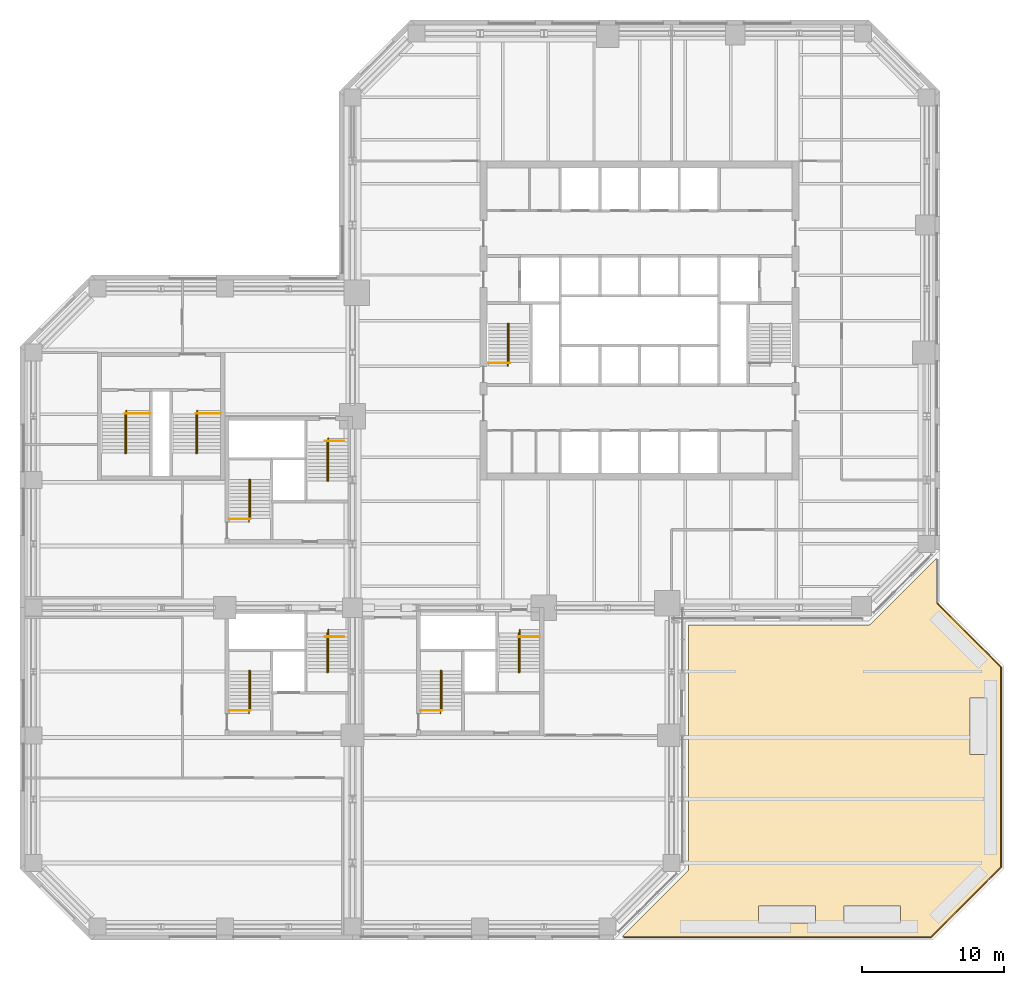
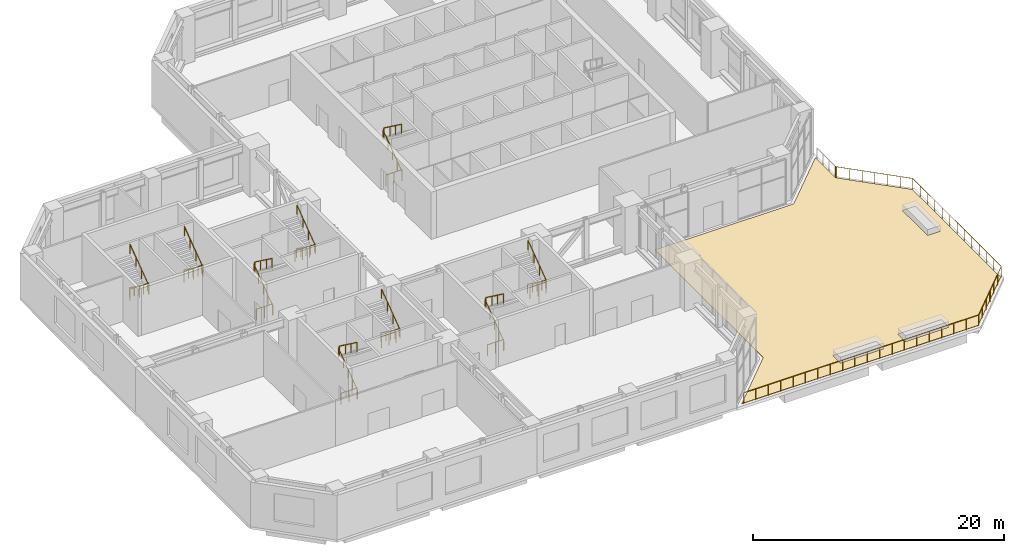
# One storey, part 20 of 21: 19 railings, 1 covering.
"""IFC4 building model written with IfcOpenShell, lengths in metres."""

from ifc_helpers import new_model, si_unit, direction, frame, origin, origin_2d, place, context, subcontext, project, spatial, polyline, circle, outline, extrude, material, layer, layer_set, type_object, element, save


model = new_model("IFC4")

# Units and contexts
model_context = context("Model", 3, precision=1e-05, world=origin(), true_north=direction((0.0, 1.0)))
body_context = subcontext(model_context, "Body", "Model", "MODEL_VIEW")
ifc_project = project(units=[si_unit("LENGTHUNIT", "METRE"), si_unit("AREAUNIT", "SQUARE_METRE"), si_unit("VOLUMEUNIT", "CUBIC_METRE"), si_unit("PLANEANGLEUNIT", "RADIAN"), si_unit("MASSUNIT", "GRAM", prefix="KILO")], contexts=[model_context])

# Site, building, storey
site_placement = place(None, origin())
site = spatial("IfcSite", under=ifc_project, at=site_placement, CompositionType="ELEMENT")
building_placement = place(site_placement, origin())
building = spatial("IfcBuilding", under=site, at=building_placement, Name="Quoin Convention Tower", CompositionType="ELEMENT")
storey_placement = place(building_placement, frame((0.0, 0.0, 18.5)))
storey = spatial("IfcBuildingStorey", under=building, at=storey_placement, Name="L03", CompositionType="ELEMENT", Elevation=18.5)

# Railings
ifc_material_1 = material(Name="Stainless steel", Category="steel")
railing_type_1 = type_object("IfcRailingType", Name="Guard 1100", PredefinedType="GUARDRAIL", material=ifc_material_1)
railing_1_placement = place(storey_placement, frame((77.25, 40.8935546875, 0.0)))
element("IfcRailing", 1, at=railing_1_placement, inside=storey, type_object=railing_type_1, Name="grd-L03-00-77250_40894", PredefinedType="GUARDRAIL", context=body_context, shape_type="SweptSolid", body=[
    extrude(circle(Radius=0.02392578125, at=origin_2d()), frame((0.0, 0.0, 1.076171875), z_axis=(0.049322612311, -0.99878289929, 0.0), x_axis=(0.99878289929, 0.049322612311, 0.0)), (0.0, 0.0, 1.0), 0.019775390625),
    extrude(circle(Radius=0.02392578125, at=origin_2d()), frame((0.0009765625, -0.019775390625, 1.076171875), z_axis=(0.150176090845, -0.988659264731, 0.0), x_axis=(0.988659264731, 0.150176090845, 0.0)), (0.0, 0.0, 1.0), 0.01953125),
    extrude(circle(Radius=0.02392578125, at=origin_2d()), frame((0.00390625, -0.0390625, 1.076171875), z_axis=(0.236669416535, -0.971590236302, 0.0), x_axis=(0.971590236302, 0.236669416535, 0.0)), (0.0, 0.0, 1.0), 0.01953125),
    extrude(circle(Radius=0.02392578125, at=origin_2d()), frame((0.008544921875, -0.05810546875, 1.076171875), z_axis=(0.334765052353, -0.942301628845, 0.0), x_axis=(0.942301628845, 0.334765052353, 0.0)), (0.0, 0.0, 1.0), 0.019775390625),
    extrude(circle(Radius=0.02392578125, at=origin_2d()), frame((0.01513671875, -0.07666015625, 1.076171875), z_axis=(0.437192706873, -0.899367854138, 0.0), x_axis=(0.899367854138, 0.437192706873, 0.0)), (0.0, 0.0, 1.0), 0.01953125),
    extrude(circle(Radius=0.02392578125, at=origin_2d()), frame((0.023681640625, -0.09423828125, 1.076171875), z_axis=(0.510826591194, -0.859683775425, 0.0), x_axis=(0.859683775425, 0.510826591194, 0.0)), (0.0, 0.0, 1.0), 0.01953125),
    extrude(circle(Radius=0.02392578125, at=origin_2d()), frame((0.03369140625, -0.111083984375, 1.076171875), z_axis=(0.594043027909, -0.80443326696, 0.0), x_axis=(0.80443326696, 0.594043027909, 0.0)), (0.0, 0.0, 1.0), 0.019775390625),
    extrude(circle(Radius=0.02392578125, at=origin_2d()), frame((0.04541015625, -0.126953125, 1.076171875), z_axis=(0.675158258765, -0.737672912354, 0.0), x_axis=(0.737672912354, 0.675158258765, 0.0)), (0.0, 0.0, 1.0), 0.01953125),
    extrude(circle(Radius=0.02392578125, at=origin_2d()), frame((0.05859375, -0.141357421875, 1.076171875), z_axis=(0.707106781187, -0.707106781187, 0.0), x_axis=(0.707106781187, 0.707106781187, 0.0)), (0.0, 0.0, 1.0), 6.281005859375),
    extrude(circle(Radius=0.02392578125, at=origin_2d()), frame((4.5, -4.582763671875, 1.076171875), z_axis=(0.0, -1.0, 0.0), x_axis=(1.0, 0.0, 0.0)), (0.0, 0.0, 1.0), 14.12158203125),
    extrude(circle(Radius=0.02392578125, at=origin_2d()), frame((4.5, -18.704345703125, 1.076171875), z_axis=(-0.707106781187, -0.707106781187, 0.0), x_axis=(0.707106781187, -0.707106781187, 0.0)), (0.0, 0.0, 1.0), 6.985107421875),
    extrude(circle(Radius=0.02392578125, at=origin_2d()), frame((-0.439208984375, -23.6435546875, 1.076171875), z_axis=(-1.0, 0.0, 0.0), x_axis=(0.0, -1.0, 0.0)), (0.0, 0.0, 1.0), 21.651611328125),
    extrude(circle(Radius=0.02099609375, at=origin_2d()), origin(), (0.0, 0.0, 1.0), 1.052001953125),
    extrude(circle(Radius=0.02099609375, at=origin_2d()), frame((0.0009765625, -0.019775390625, 0.0)), (0.0, 0.0, 1.0), 1.052001953125),
    extrude(circle(Radius=0.02099609375, at=origin_2d()), frame((0.00390625, -0.0390625, 0.0)), (0.0, 0.0, 1.0), 1.052001953125),
    extrude(circle(Radius=0.02099609375, at=origin_2d()), frame((0.008544921875, -0.05810546875, 0.0)), (0.0, 0.0, 1.0), 1.052001953125),
    extrude(circle(Radius=0.02099609375, at=origin_2d()), frame((0.01513671875, -0.07666015625, 0.0)), (0.0, 0.0, 1.0), 1.052001953125),
    extrude(circle(Radius=0.02099609375, at=origin_2d()), frame((0.023681640625, -0.09423828125, 0.0)), (0.0, 0.0, 1.0), 1.052001953125),
    extrude(circle(Radius=0.02099609375, at=origin_2d()), frame((0.03369140625, -0.111083984375, 0.0)), (0.0, 0.0, 1.0), 1.052001953125),
    extrude(circle(Radius=0.02099609375, at=origin_2d()), frame((0.04541015625, -0.126953125, 0.0)), (0.0, 0.0, 1.0), 1.052001953125),
    extrude(circle(Radius=0.02099609375, at=origin_2d()), frame((0.05859375, -0.141357421875, 0.0)), (0.0, 0.0, 1.0), 1.052001953125),
    extrude(circle(Radius=0.02099609375, at=origin_2d()), frame((0.798828125, -0.881591796875, 0.0)), (0.0, 0.0, 1.0), 1.052001953125),
    extrude(circle(Radius=0.02099609375, at=origin_2d()), frame((1.5390625, -1.621826171875, 0.0)), (0.0, 0.0, 1.0), 1.052001953125),
    extrude(circle(Radius=0.02099609375, at=origin_2d()), frame((2.279296875, -2.362060546875, 0.0)), (0.0, 0.0, 1.0), 1.052001953125),
    extrude(circle(Radius=0.02099609375, at=origin_2d()), frame((3.01953125, -3.102294921875, 0.0)), (0.0, 0.0, 1.0), 1.052001953125),
    extrude(circle(Radius=0.02099609375, at=origin_2d()), frame((3.759765625, -3.842529296875, 0.0)), (0.0, 0.0, 1.0), 1.052001953125),
    extrude(circle(Radius=0.02099609375, at=origin_2d()), frame((4.5, -4.582763671875, 0.0)), (0.0, 0.0, 1.0), 1.052001953125),
    extrude(circle(Radius=0.02099609375, at=origin_2d()), frame((4.5, -5.759521484375, 0.0)), (0.0, 0.0, 1.0), 1.052001953125),
    extrude(circle(Radius=0.02099609375, at=origin_2d()), frame((4.5, -6.936279296875, 0.0)), (0.0, 0.0, 1.0), 1.052001953125),
    extrude(circle(Radius=0.02099609375, at=origin_2d()), frame((4.5, -8.11328125, 0.0)), (0.0, 0.0, 1.0), 1.052001953125),
    extrude(circle(Radius=0.02099609375, at=origin_2d()), frame((4.5, -9.2900390625, 0.0)), (0.0, 0.0, 1.0), 1.052001953125),
    extrude(circle(Radius=0.02099609375, at=origin_2d()), frame((4.5, -10.466796875, 0.0)), (0.0, 0.0, 1.0), 1.052001953125),
    extrude(circle(Radius=0.02099609375, at=origin_2d()), frame((4.5, -11.6435546875, 0.0)), (0.0, 0.0, 1.0), 1.052001953125),
    extrude(circle(Radius=0.02099609375, at=origin_2d()), frame((4.5, -12.8203125, 0.0)), (0.0, 0.0, 1.0), 1.052001953125),
    extrude(circle(Radius=0.02099609375, at=origin_2d()), frame((4.5, -13.9970703125, 0.0)), (0.0, 0.0, 1.0), 1.052001953125),
    extrude(circle(Radius=0.02099609375, at=origin_2d()), frame((4.5, -15.173828125, 0.0)), (0.0, 0.0, 1.0), 1.052001953125),
    extrude(circle(Radius=0.02099609375, at=origin_2d()), frame((4.5, -16.350830078125, 0.0)), (0.0, 0.0, 1.0), 1.052001953125),
    extrude(circle(Radius=0.02099609375, at=origin_2d()), frame((4.5, -17.527587890625, 0.0)), (0.0, 0.0, 1.0), 1.052001953125),
    extrude(circle(Radius=0.02099609375, at=origin_2d()), frame((4.5, -18.704345703125, 0.0)), (0.0, 0.0, 1.0), 1.052001953125),
    extrude(circle(Radius=0.02099609375, at=origin_2d()), frame((3.6767578125, -19.527587890625, 0.0)), (0.0, 0.0, 1.0), 1.052001953125),
    extrude(circle(Radius=0.02099609375, at=origin_2d()), frame((2.853515625, -20.350830078125, 0.0)), (0.0, 0.0, 1.0), 1.052001953125),
    extrude(circle(Radius=0.02099609375, at=origin_2d()), frame((2.0302734375, -21.173828125, 0.0)), (0.0, 0.0, 1.0), 1.052001953125),
    extrude(circle(Radius=0.02099609375, at=origin_2d()), frame((1.207275390625, -21.9970703125, 0.0)), (0.0, 0.0, 1.0), 1.052001953125),
    extrude(circle(Radius=0.02099609375, at=origin_2d()), frame((0.384033203125, -22.8203125, 0.0)), (0.0, 0.0, 1.0), 1.052001953125),
    extrude(circle(Radius=0.02099609375, at=origin_2d()), frame((-0.439208984375, -23.6435546875, 0.0)), (0.0, 0.0, 1.0), 1.052001953125),
    extrude(circle(Radius=0.02099609375, at=origin_2d()), frame((-1.578857421875, -23.6435546875, 0.0)), (0.0, 0.0, 1.0), 1.052001953125),
    extrude(circle(Radius=0.02099609375, at=origin_2d()), frame((-2.71826171875, -23.6435546875, 0.0)), (0.0, 0.0, 1.0), 1.052001953125),
    extrude(circle(Radius=0.02099609375, at=origin_2d()), frame((-3.85791015625, -23.6435546875, 0.0)), (0.0, 0.0, 1.0), 1.052001953125),
    extrude(circle(Radius=0.02099609375, at=origin_2d()), frame((-4.99755859375, -23.6435546875, 0.0)), (0.0, 0.0, 1.0), 1.052001953125),
    extrude(circle(Radius=0.02099609375, at=origin_2d()), frame((-6.136962890625, -23.6435546875, 0.0)), (0.0, 0.0, 1.0), 1.052001953125),
    extrude(circle(Radius=0.02099609375, at=origin_2d()), frame((-7.276611328125, -23.6435546875, 0.0)), (0.0, 0.0, 1.0), 1.052001953125),
    extrude(circle(Radius=0.02099609375, at=origin_2d()), frame((-8.416015625, -23.6435546875, 0.0)), (0.0, 0.0, 1.0), 1.052001953125),
    extrude(circle(Radius=0.02099609375, at=origin_2d()), frame((-9.5556640625, -23.6435546875, 0.0)), (0.0, 0.0, 1.0), 1.052001953125),
    extrude(circle(Radius=0.02099609375, at=origin_2d()), frame((-10.6953125, -23.6435546875, 0.0)), (0.0, 0.0, 1.0), 1.052001953125),
    extrude(circle(Radius=0.02099609375, at=origin_2d()), frame((-11.834716796875, -23.6435546875, 0.0)), (0.0, 0.0, 1.0), 1.052001953125),
    extrude(circle(Radius=0.02099609375, at=origin_2d()), frame((-12.974365234375, -23.6435546875, 0.0)), (0.0, 0.0, 1.0), 1.052001953125),
    extrude(circle(Radius=0.02099609375, at=origin_2d()), frame((-14.114013671875, -23.6435546875, 0.0)), (0.0, 0.0, 1.0), 1.052001953125),
    extrude(circle(Radius=0.02099609375, at=origin_2d()), frame((-15.25341796875, -23.6435546875, 0.0)), (0.0, 0.0, 1.0), 1.052001953125),
    extrude(circle(Radius=0.02099609375, at=origin_2d()), frame((-16.39306640625, -23.6435546875, 0.0)), (0.0, 0.0, 1.0), 1.052001953125),
    extrude(circle(Radius=0.02099609375, at=origin_2d()), frame((-17.532470703125, -23.6435546875, 0.0)), (0.0, 0.0, 1.0), 1.052001953125),
    extrude(circle(Radius=0.02099609375, at=origin_2d()), frame((-18.672119140625, -23.6435546875, 0.0)), (0.0, 0.0, 1.0), 1.052001953125),
    extrude(circle(Radius=0.02099609375, at=origin_2d()), frame((-19.811767578125, -23.6435546875, 0.0)), (0.0, 0.0, 1.0), 1.052001953125),
    extrude(circle(Radius=0.02099609375, at=origin_2d()), frame((-20.951171875, -23.6435546875, 0.0)), (0.0, 0.0, 1.0), 1.052001953125),
    extrude(circle(Radius=0.02099609375, at=origin_2d()), frame((-22.0908203125, -23.6435546875, 0.0)), (0.0, 0.0, 1.0), 1.052001953125),
])
railing_type_2 = type_object("IfcRailingType", Name="Stair handrail 900", PredefinedType="HANDRAIL", material=ifc_material_1)
for number, where, name in (
    (2, (46.955078125, 57.550048828125, 0.18408203125), "SD1 handrail 1"),
    (3, (28.705078125, 46.550048828125, 0.18408203125), "SD3 handrail 1"),
):
    element("IfcRailing", number, at=place(storey_placement, frame(where)), inside=storey, type_object=railing_type_2, Name=name, PredefinedType="HANDRAIL", context=body_context, shape_type="SweptSolid", body=[
        extrude(circle(Radius=0.02392578125, at=origin_2d()), frame((0.0, 0.0, 0.8759765625), z_axis=(0.0, 0.80537860304, 0.592760749177), x_axis=(-1.0, 0.0, 0.0)), (0.0, 0.0, 1.0), 3.724853515625),
        extrude(circle(Radius=0.02392578125, at=origin_2d()), frame((0.0, 3.0, 3.083984375), z_axis=(0.439081728812, 0.0, 0.898447124445), x_axis=(0.0, 1.0, 0.0)), (0.0, 0.0, 1.0), 0.20458984375),
        extrude(circle(Radius=0.02392578125, at=origin_2d()), frame((0.08984375, 3.0, 3.267578125), z_axis=(0.0, -0.805355847101, 0.592791666221), x_axis=(1.0, 0.0, 0.0)), (0.0, 0.0, 1.0), 3.41455078125),
        extrude(circle(Radius=0.02099609375, at=origin_2d()), origin(), (0.0, 0.0, 1.0), 0.851806640625),
        extrude(circle(Radius=0.02099609375, at=origin_2d()), frame((0.0, 0.75, 0.552001953125)), (0.0, 0.0, 1.0), 0.851806640625),
        extrude(circle(Radius=0.02099609375, at=origin_2d()), frame((0.0, 1.5, 1.10400390625)), (0.0, 0.0, 1.0), 0.851806640625),
        extrude(circle(Radius=0.02099609375, at=origin_2d()), frame((0.0, 2.25, 1.656005859375)), (0.0, 0.0, 1.0), 0.851806640625),
        extrude(circle(Radius=0.02099609375, at=origin_2d()), frame((0.0, 3.0, 2.2080078125)), (0.0, 0.0, 1.0), 0.851806640625),
        extrude(circle(Radius=0.02099609375, at=origin_2d()), frame((0.08984375, 3.0, 2.391845703125)), (0.0, 0.0, 1.0), 0.851806640625),
        extrude(circle(Radius=0.02099609375, at=origin_2d()), frame((0.08984375, 2.083251953125, 3.066650390625)), (0.0, 0.0, 1.0), 0.851806640625),
        extrude(circle(Radius=0.02099609375, at=origin_2d()), frame((0.08984375, 1.166748046875, 3.7412109375)), (0.0, 0.0, 1.0), 0.851806640625),
        extrude(circle(Radius=0.02099609375, at=origin_2d()), frame((0.08984375, 0.25, 4.416015625)), (0.0, 0.0, 1.0), 0.851806640625),
    ])
railing_2_placement = place(storey_placement, frame((34.294921875, 52.449951171875, 0.18408203125)))
element("IfcRailing", 4, at=railing_2_placement, inside=storey, type_object=railing_type_2, Name="SD4 handrail 1", PredefinedType="HANDRAIL", context=body_context, shape_type="SweptSolid", body=[
    extrude(circle(Radius=0.02392578125, at=origin_2d()), frame((0.0, 0.0, 0.8759765625), z_axis=(0.0, -0.80537860304, 0.592760749177), x_axis=(1.0, 0.0, 0.0)), (0.0, 0.0, 1.0), 3.724853515625),
    extrude(circle(Radius=0.02392578125, at=origin_2d()), frame((0.0, -3.0, 3.083984375), z_axis=(-0.439081728812, 0.0, 0.898447124445), x_axis=(0.0, -1.0, 0.0)), (0.0, 0.0, 1.0), 0.20458984375),
    extrude(circle(Radius=0.02392578125, at=origin_2d()), frame((-0.08984375, -3.0, 3.267578125), z_axis=(0.0, 0.805355847101, 0.592791666221), x_axis=(-1.0, 0.0, 0.0)), (0.0, 0.0, 1.0), 3.41455078125),
    extrude(circle(Radius=0.02099609375, at=origin_2d()), origin(), (0.0, 0.0, 1.0), 0.851806640625),
    extrude(circle(Radius=0.02099609375, at=origin_2d()), frame((0.0, -0.75, 0.552001953125)), (0.0, 0.0, 1.0), 0.851806640625),
    extrude(circle(Radius=0.02099609375, at=origin_2d()), frame((0.0, -1.5, 1.10400390625)), (0.0, 0.0, 1.0), 0.851806640625),
    extrude(circle(Radius=0.02099609375, at=origin_2d()), frame((0.0, -2.25, 1.656005859375)), (0.0, 0.0, 1.0), 0.851806640625),
    extrude(circle(Radius=0.02099609375, at=origin_2d()), frame((0.0, -3.0, 2.2080078125)), (0.0, 0.0, 1.0), 0.851806640625),
    extrude(circle(Radius=0.02099609375, at=origin_2d()), frame((-0.08984375, -3.0, 2.391845703125)), (0.0, 0.0, 1.0), 0.851806640625),
    extrude(circle(Radius=0.02099609375, at=origin_2d()), frame((-0.08984375, -2.083251953125, 3.066650390625)), (0.0, 0.0, 1.0), 0.851806640625),
    extrude(circle(Radius=0.02099609375, at=origin_2d()), frame((-0.08984375, -1.166748046875, 3.7412109375)), (0.0, 0.0, 1.0), 0.851806640625),
    extrude(circle(Radius=0.02099609375, at=origin_2d()), frame((-0.08984375, -0.25, 4.416015625)), (0.0, 0.0, 1.0), 0.851806640625),
])
railing_3_placement = place(storey_placement, frame((42.205078125, 33.050048828125, 0.18408203125)))
element("IfcRailing", 5, at=railing_3_placement, inside=storey, type_object=railing_type_2, Name="SD5 handrail 1", PredefinedType="HANDRAIL", context=body_context, shape_type="SweptSolid", body=[
    extrude(circle(Radius=0.02392578125, at=origin_2d()), frame((0.0, 0.0, 0.8759765625), z_axis=(0.0, 0.80537860304, 0.592760749177), x_axis=(-1.0, 0.0, 0.0)), (0.0, 0.0, 1.0), 3.724853515625),
    extrude(circle(Radius=0.02392578125, at=origin_2d()), frame((0.0, 3.0, 3.083984375), z_axis=(0.439081728812, 0.0, 0.898447124445), x_axis=(0.0, 1.0, 0.0)), (0.0, 0.0, 1.0), 0.20458984375),
    extrude(circle(Radius=0.02392578125, at=origin_2d()), frame((0.08984375, 3.0, 3.267578125), z_axis=(0.0, -0.805355847101, 0.592791666221), x_axis=(1.0, 0.0, 0.0)), (0.0, 0.0, 1.0), 3.41455078125),
    extrude(circle(Radius=0.02099609375, at=origin_2d()), origin(), (0.0, 0.0, 1.0), 0.851806640625),
    extrude(circle(Radius=0.02099609375, at=origin_2d()), frame((0.0, 0.75, 0.552001953125)), (0.0, 0.0, 1.0), 0.851806640625),
    extrude(circle(Radius=0.02099609375, at=origin_2d()), frame((0.0, 1.5, 1.10400390625)), (0.0, 0.0, 1.0), 0.851806640625),
    extrude(circle(Radius=0.02099609375, at=origin_2d()), frame((0.0, 2.25, 1.656005859375)), (0.0, 0.0, 1.0), 0.851806640625),
    extrude(circle(Radius=0.02099609375, at=origin_2d()), frame((0.0, 3.0, 2.2080078125)), (0.0, 0.0, 1.0), 0.851806640625),
    extrude(circle(Radius=0.02099609375, at=origin_2d()), frame((0.08984375, 3.0, 2.391845703125)), (0.0, 0.0, 1.0), 0.851806640625),
    extrude(circle(Radius=0.02099609375, at=origin_2d()), frame((0.08984375, 2.083251953125, 3.066650390625)), (0.0, 0.0, 1.0), 0.851806640625),
    extrude(circle(Radius=0.02099609375, at=origin_2d()), frame((0.08984375, 1.166748046875, 3.7412109375)), (0.0, 0.0, 1.0), 0.851806640625),
    extrude(circle(Radius=0.02099609375, at=origin_2d()), frame((0.08984375, 0.25, 4.416015625)), (0.0, 0.0, 1.0), 0.851806640625),
])
railing_4_placement = place(storey_placement, frame((47.794921875, 38.949951171875, 0.18408203125)))
element("IfcRailing", 6, at=railing_4_placement, inside=storey, type_object=railing_type_2, Name="SD6 handrail 1", PredefinedType="HANDRAIL", context=body_context, shape_type="SweptSolid", body=[
    extrude(circle(Radius=0.02392578125, at=origin_2d()), frame((0.0, 0.0, 0.8759765625), z_axis=(0.0, -0.80537860304, 0.592760749177), x_axis=(1.0, 0.0, 0.0)), (0.0, 0.0, 1.0), 3.724853515625),
    extrude(circle(Radius=0.02392578125, at=origin_2d()), frame((0.0, -3.0, 3.083984375), z_axis=(-0.439081728812, 0.0, 0.898447124445), x_axis=(0.0, -1.0, 0.0)), (0.0, 0.0, 1.0), 0.20458984375),
    extrude(circle(Radius=0.02392578125, at=origin_2d()), frame((-0.08984375, -3.0, 3.267578125), z_axis=(0.0, 0.805355847101, 0.592791666221), x_axis=(-1.0, 0.0, 0.0)), (0.0, 0.0, 1.0), 3.41455078125),
    extrude(circle(Radius=0.02099609375, at=origin_2d()), origin(), (0.0, 0.0, 1.0), 0.851806640625),
    extrude(circle(Radius=0.02099609375, at=origin_2d()), frame((0.0, -0.75, 0.552001953125)), (0.0, 0.0, 1.0), 0.851806640625),
    extrude(circle(Radius=0.02099609375, at=origin_2d()), frame((0.0, -1.5, 1.10400390625)), (0.0, 0.0, 1.0), 0.851806640625),
    extrude(circle(Radius=0.02099609375, at=origin_2d()), frame((0.0, -2.25, 1.656005859375)), (0.0, 0.0, 1.0), 0.851806640625),
    extrude(circle(Radius=0.02099609375, at=origin_2d()), frame((0.0, -3.0, 2.2080078125)), (0.0, 0.0, 1.0), 0.851806640625),
    extrude(circle(Radius=0.02099609375, at=origin_2d()), frame((-0.08984375, -3.0, 2.391845703125)), (0.0, 0.0, 1.0), 0.851806640625),
    extrude(circle(Radius=0.02099609375, at=origin_2d()), frame((-0.08984375, -2.083251953125, 3.066650390625)), (0.0, 0.0, 1.0), 0.851806640625),
    extrude(circle(Radius=0.02099609375, at=origin_2d()), frame((-0.08984375, -1.166748046875, 3.7412109375)), (0.0, 0.0, 1.0), 0.851806640625),
    extrude(circle(Radius=0.02099609375, at=origin_2d()), frame((-0.08984375, -0.25, 4.416015625)), (0.0, 0.0, 1.0), 0.851806640625),
])
railing_5_placement = place(storey_placement, frame((28.705078125, 33.050048828125, 0.18408203125)))
element("IfcRailing", 7, at=railing_5_placement, inside=storey, type_object=railing_type_2, Name="SD7 handrail 1", PredefinedType="HANDRAIL", context=body_context, shape_type="SweptSolid", body=[
    extrude(circle(Radius=0.02392578125, at=origin_2d()), frame((0.0, 0.0, 0.8759765625), z_axis=(0.0, 0.80537860304, 0.592760749177), x_axis=(-1.0, 0.0, 0.0)), (0.0, 0.0, 1.0), 3.724853515625),
    extrude(circle(Radius=0.02392578125, at=origin_2d()), frame((0.0, 3.0, 3.083984375), z_axis=(0.439081728812, 0.0, 0.898447124445), x_axis=(0.0, 1.0, 0.0)), (0.0, 0.0, 1.0), 0.20458984375),
    extrude(circle(Radius=0.02392578125, at=origin_2d()), frame((0.08984375, 3.0, 3.267578125), z_axis=(0.0, -0.805355847101, 0.592791666221), x_axis=(1.0, 0.0, 0.0)), (0.0, 0.0, 1.0), 3.41455078125),
    extrude(circle(Radius=0.02099609375, at=origin_2d()), origin(), (0.0, 0.0, 1.0), 0.851806640625),
    extrude(circle(Radius=0.02099609375, at=origin_2d()), frame((0.0, 0.75, 0.552001953125)), (0.0, 0.0, 1.0), 0.851806640625),
    extrude(circle(Radius=0.02099609375, at=origin_2d()), frame((0.0, 1.5, 1.10400390625)), (0.0, 0.0, 1.0), 0.851806640625),
    extrude(circle(Radius=0.02099609375, at=origin_2d()), frame((0.0, 2.25, 1.656005859375)), (0.0, 0.0, 1.0), 0.851806640625),
    extrude(circle(Radius=0.02099609375, at=origin_2d()), frame((0.0, 3.0, 2.2080078125)), (0.0, 0.0, 1.0), 0.851806640625),
    extrude(circle(Radius=0.02099609375, at=origin_2d()), frame((0.08984375, 3.0, 2.391845703125)), (0.0, 0.0, 1.0), 0.851806640625),
    extrude(circle(Radius=0.02099609375, at=origin_2d()), frame((0.08984375, 2.083251953125, 3.066650390625)), (0.0, 0.0, 1.0), 0.851806640625),
    extrude(circle(Radius=0.02099609375, at=origin_2d()), frame((0.08984375, 1.166748046875, 3.7412109375)), (0.0, 0.0, 1.0), 0.851806640625),
    extrude(circle(Radius=0.02099609375, at=origin_2d()), frame((0.08984375, 0.25, 4.416015625)), (0.0, 0.0, 1.0), 0.851806640625),
])
for number, where, name in (
    (8, (34.294921875, 38.949951171875, 0.18408203125), "SD8 handrail 1"),
    (9, (20.044921875, 54.39990234375, 0.18408203125), "SD11 handrail 1"),
    (10, (25.044921875, 54.39990234375, 0.18408203125), "SD12 handrail 1"),
):
    element("IfcRailing", number, at=place(storey_placement, frame(where)), inside=storey, type_object=railing_type_2, Name=name, PredefinedType="HANDRAIL", context=body_context, shape_type="SweptSolid", body=[
        extrude(circle(Radius=0.02392578125, at=origin_2d()), frame((0.0, 0.0, 0.8759765625), z_axis=(0.0, -0.80537860304, 0.592760749177), x_axis=(1.0, 0.0, 0.0)), (0.0, 0.0, 1.0), 3.724853515625),
        extrude(circle(Radius=0.02392578125, at=origin_2d()), frame((0.0, -3.0, 3.083984375), z_axis=(-0.439081728812, 0.0, 0.898447124445), x_axis=(0.0, -1.0, 0.0)), (0.0, 0.0, 1.0), 0.20458984375),
        extrude(circle(Radius=0.02392578125, at=origin_2d()), frame((-0.08984375, -3.0, 3.267578125), z_axis=(0.0, 0.805355847101, 0.592791666221), x_axis=(-1.0, 0.0, 0.0)), (0.0, 0.0, 1.0), 3.41455078125),
        extrude(circle(Radius=0.02099609375, at=origin_2d()), origin(), (0.0, 0.0, 1.0), 0.851806640625),
        extrude(circle(Radius=0.02099609375, at=origin_2d()), frame((0.0, -0.75, 0.552001953125)), (0.0, 0.0, 1.0), 0.851806640625),
        extrude(circle(Radius=0.02099609375, at=origin_2d()), frame((0.0, -1.5, 1.10400390625)), (0.0, 0.0, 1.0), 0.851806640625),
        extrude(circle(Radius=0.02099609375, at=origin_2d()), frame((0.0, -2.25, 1.656005859375)), (0.0, 0.0, 1.0), 0.851806640625),
        extrude(circle(Radius=0.02099609375, at=origin_2d()), frame((0.0, -3.0, 2.2080078125)), (0.0, 0.0, 1.0), 0.851806640625),
        extrude(circle(Radius=0.02099609375, at=origin_2d()), frame((-0.08984375, -3.0, 2.391845703125)), (0.0, 0.0, 1.0), 0.851806640625),
        extrude(circle(Radius=0.02099609375, at=origin_2d()), frame((-0.08984375, -2.083251953125, 3.066650390625)), (0.0, 0.0, 1.0), 0.851806640625),
        extrude(circle(Radius=0.02099609375, at=origin_2d()), frame((-0.08984375, -1.166748046875, 3.7412109375)), (0.0, 0.0, 1.0), 0.851806640625),
        extrude(circle(Radius=0.02099609375, at=origin_2d()), frame((-0.08984375, -0.25, 4.416015625)), (0.0, 0.0, 1.0), 0.851806640625),
    ])
railing_type_3 = type_object("IfcRailingType", Name="Stair top guard 1100", PredefinedType="GUARDRAIL", material=ifc_material_1)
for number, where, name in (
    (11, (45.60009765625, 57.75, 0.0), "SD1 top guard"),
    (12, (27.300048828125, 46.75, 0.0), "SD3 top guard"),
):
    element("IfcRailing", number, at=place(storey_placement, frame(where)), inside=storey, type_object=railing_type_3, Name=name, PredefinedType="GUARDRAIL", context=body_context, shape_type="SweptSolid", body=[
        extrude(circle(Radius=0.02392578125, at=origin_2d()), frame((0.0, 0.0, 1.076171875), z_axis=(1.0, 0.0, 0.0), x_axis=(0.0, 1.0, 0.0)), (0.0, 0.0, 1.0), 1.494873046875),
        extrude(circle(Radius=0.02099609375, at=origin_2d()), origin(), (0.0, 0.0, 1.0), 1.052001953125),
        extrude(circle(Radius=0.02099609375, at=origin_2d()), frame((0.74755859375, 0.0, 0.0)), (0.0, 0.0, 1.0), 1.052001953125),
        extrude(circle(Radius=0.02099609375, at=origin_2d()), frame((1.494873046875, 0.0, 0.0)), (0.0, 0.0, 1.0), 1.052001953125),
    ])
railing_6_placement = place(storey_placement, frame((35.39990234375, 52.25, 0.0)))
element("IfcRailing", 13, at=railing_6_placement, inside=storey, type_object=railing_type_3, Name="SD4 top guard", PredefinedType="GUARDRAIL", context=body_context, shape_type="SweptSolid", body=[
    extrude(circle(Radius=0.02392578125, at=origin_2d()), frame((0.0, 0.0, 1.076171875), z_axis=(-1.0, 0.0, 0.0), x_axis=(0.0, -1.0, 0.0)), (0.0, 0.0, 1.0), 1.344970703125),
    extrude(circle(Radius=0.02099609375, at=origin_2d()), origin(), (0.0, 0.0, 1.0), 1.052001953125),
    extrude(circle(Radius=0.02099609375, at=origin_2d()), frame((-0.67236328125, 0.0, 0.0)), (0.0, 0.0, 1.0), 1.052001953125),
    extrude(circle(Radius=0.02099609375, at=origin_2d()), frame((-1.344970703125, 0.0, 0.0)), (0.0, 0.0, 1.0), 1.052001953125),
])
railing_7_placement = place(storey_placement, frame((40.800048828125, 33.25, 0.0)))
element("IfcRailing", 14, at=railing_7_placement, inside=storey, type_object=railing_type_3, Name="SD5 top guard", PredefinedType="GUARDRAIL", context=body_context, shape_type="SweptSolid", body=[
    extrude(circle(Radius=0.02392578125, at=origin_2d()), frame((0.0, 0.0, 1.076171875), z_axis=(1.0, 0.0, 0.0), x_axis=(0.0, 1.0, 0.0)), (0.0, 0.0, 1.0), 1.494873046875),
    extrude(circle(Radius=0.02099609375, at=origin_2d()), origin(), (0.0, 0.0, 1.0), 1.052001953125),
    extrude(circle(Radius=0.02099609375, at=origin_2d()), frame((0.74755859375, 0.0, 0.0)), (0.0, 0.0, 1.0), 1.052001953125),
    extrude(circle(Radius=0.02099609375, at=origin_2d()), frame((1.494873046875, 0.0, 0.0)), (0.0, 0.0, 1.0), 1.052001953125),
])
railing_8_placement = place(storey_placement, frame((49.199951171875, 38.449951171875, 0.0)))
element("IfcRailing", 15, at=railing_8_placement, inside=storey, type_object=railing_type_3, Name="SD6 top guard", PredefinedType="GUARDRAIL", context=body_context, shape_type="SweptSolid", body=[
    extrude(circle(Radius=0.02392578125, at=origin_2d()), frame((0.0, 0.0, 1.076171875), z_axis=(-1.0, 0.0, 0.0), x_axis=(0.0, -1.0, 0.0)), (0.0, 0.0, 1.0), 1.494873046875),
    extrude(circle(Radius=0.02099609375, at=origin_2d()), origin(), (0.0, 0.0, 1.0), 1.052001953125),
    extrude(circle(Radius=0.02099609375, at=origin_2d()), frame((-0.74755859375, 0.0, 0.0)), (0.0, 0.0, 1.0), 1.052001953125),
    extrude(circle(Radius=0.02099609375, at=origin_2d()), frame((-1.494873046875, 0.0, 0.0)), (0.0, 0.0, 1.0), 1.052001953125),
])
railing_9_placement = place(storey_placement, frame((27.300048828125, 33.25, 0.0)))
element("IfcRailing", 16, at=railing_9_placement, inside=storey, type_object=railing_type_3, Name="SD7 top guard", PredefinedType="GUARDRAIL", context=body_context, shape_type="SweptSolid", body=[
    extrude(circle(Radius=0.02392578125, at=origin_2d()), frame((0.0, 0.0, 1.076171875), z_axis=(1.0, 0.0, 0.0), x_axis=(0.0, 1.0, 0.0)), (0.0, 0.0, 1.0), 1.494873046875),
    extrude(circle(Radius=0.02099609375, at=origin_2d()), origin(), (0.0, 0.0, 1.0), 1.052001953125),
    extrude(circle(Radius=0.02099609375, at=origin_2d()), frame((0.74755859375, 0.0, 0.0)), (0.0, 0.0, 1.0), 1.052001953125),
    extrude(circle(Radius=0.02099609375, at=origin_2d()), frame((1.494873046875, 0.0, 0.0)), (0.0, 0.0, 1.0), 1.052001953125),
])
railing_10_placement = place(storey_placement, frame((35.39990234375, 38.449951171875, 0.0)))
element("IfcRailing", 17, at=railing_10_placement, inside=storey, type_object=railing_type_3, Name="SD8 top guard", PredefinedType="GUARDRAIL", context=body_context, shape_type="SweptSolid", body=[
    extrude(circle(Radius=0.02392578125, at=origin_2d()), frame((0.0, 0.0, 1.076171875), z_axis=(-1.0, 0.0, 0.0), x_axis=(0.0, -1.0, 0.0)), (0.0, 0.0, 1.0), 1.344970703125),
    extrude(circle(Radius=0.02099609375, at=origin_2d()), origin(), (0.0, 0.0, 1.0), 1.052001953125),
    extrude(circle(Radius=0.02099609375, at=origin_2d()), frame((-0.67236328125, 0.0, 0.0)), (0.0, 0.0, 1.0), 1.052001953125),
    extrude(circle(Radius=0.02099609375, at=origin_2d()), frame((-1.344970703125, 0.0, 0.0)), (0.0, 0.0, 1.0), 1.052001953125),
])
for number, where, name in (
    (18, (21.699951171875, 54.199951171875, 0.0), "SD11 top guard"),
    (19, (26.699951171875, 54.199951171875, 0.0), "SD12 top guard"),
):
    element("IfcRailing", number, at=place(storey_placement, frame(where)), inside=storey, type_object=railing_type_3, Name=name, PredefinedType="GUARDRAIL", context=body_context, shape_type="SweptSolid", body=[
        extrude(circle(Radius=0.02392578125, at=origin_2d()), frame((0.0, 0.0, 1.076171875), z_axis=(-1.0, 0.0, 0.0), x_axis=(0.0, -1.0, 0.0)), (0.0, 0.0, 1.0), 1.744873046875),
        extrude(circle(Radius=0.02099609375, at=origin_2d()), origin(), (0.0, 0.0, 1.0), 1.052001953125),
        extrude(circle(Radius=0.02099609375, at=origin_2d()), frame((-0.87255859375, 0.0, 0.0)), (0.0, 0.0, 1.0), 1.052001953125),
        extrude(circle(Radius=0.02099609375, at=origin_2d()), frame((-1.744873046875, 0.0, 0.0)), (0.0, 0.0, 1.0), 1.052001953125),
    ])

# Covering
ifc_material_2 = material(Name="Stone paving", Category="masonry")
ifc_layer = layer(ifc_material_2, 0.0400390625)
ifc_layer_set = layer_set([ifc_layer], Name="Stone paving")
covering_type = type_object("IfcCoveringType", Name="Terrace paving", PredefinedType="FLOORING", material=ifc_layer_set)
covering_placement = place(storey_placement, origin())
element("IfcCovering", 20, at=covering_placement, inside=storey, type_object=covering_type, Name="ter-L03-0", PredefinedType="FLOORING", context=body_context, shape_type="SweptSolid", body=[
    extrude(outline(polyline([(77.201171875, 40.868896484375), (77.204833984375, 40.8447265625), (77.210693359375, 40.82080078125), (77.218994140625, 40.7978515625), (77.2294921875, 40.775634765625), (77.2421875, 40.754638671875), (77.256591796875, 40.73486328125), (77.273193359375, 40.716796875), (81.699951171875, 36.289794921875), (81.699951171875, 22.210205078125), (76.789794921875, 17.300048828125), (55.01123046875, 17.300048828125), (59.6337890625, 21.922607421875), (59.642333984375, 21.931396484375), (59.64306640625, 21.932373046875), (59.658447265625, 21.951171875), (59.6591796875, 21.951904296875), (59.672607421875, 21.972412109375), (59.67333984375, 21.973388671875), (59.684814453125, 21.994873046875), (59.685302734375, 21.995849609375), (59.694580078125, 22.018310546875), (59.695068359375, 22.019287109375), (59.7021484375, 22.042724609375), (59.702392578125, 22.043701171875), (59.70703125, 22.06787109375), (59.707275390625, 22.06884765625), (59.709716796875, 22.09326171875), (59.709716796875, 22.09423828125), (59.7099609375, 22.1064453125), (59.7099609375, 39.2900390625), (72.3935546875, 39.2900390625), (72.40576171875, 39.290283203125), (72.40673828125, 39.290283203125), (72.43115234375, 39.292724609375), (72.43212890625, 39.29296875), (72.456298828125, 39.297607421875), (72.457275390625, 39.2978515625), (72.480712890625, 39.304931640625), (72.481689453125, 39.305419921875), (72.504150390625, 39.314697265625), (72.505126953125, 39.315185546875), (72.526611328125, 39.32666015625), (72.527587890625, 39.327392578125), (72.548095703125, 39.3408203125), (72.548828125, 39.341552734375), (72.567626953125, 39.35693359375), (72.568603515625, 39.357666015625), (72.577392578125, 39.3662109375), (77.199951171875, 43.98876953125), (77.199951171875, 40.8935546875), (77.201171875, 40.868896484375)]), holes=[polyline([(79.550048828125, 30.14794921875), (80.75, 30.14794921875), (80.75, 34.14794921875), (79.550048828125, 34.14794921875), (79.550048828125, 30.14794921875)]), polyline([(70.64794921875, 19.449951171875), (70.64794921875, 18.25), (74.64794921875, 18.25), (74.64794921875, 19.449951171875), (70.64794921875, 19.449951171875)]), polyline([(64.64794921875, 18.25), (68.64794921875, 18.25), (68.64794921875, 19.449951171875), (64.64794921875, 19.449951171875), (64.64794921875, 18.25)])]), origin(), (0.0, 0.0, 1.0), 0.0400390625),
])

save(model, "model.ifc")
